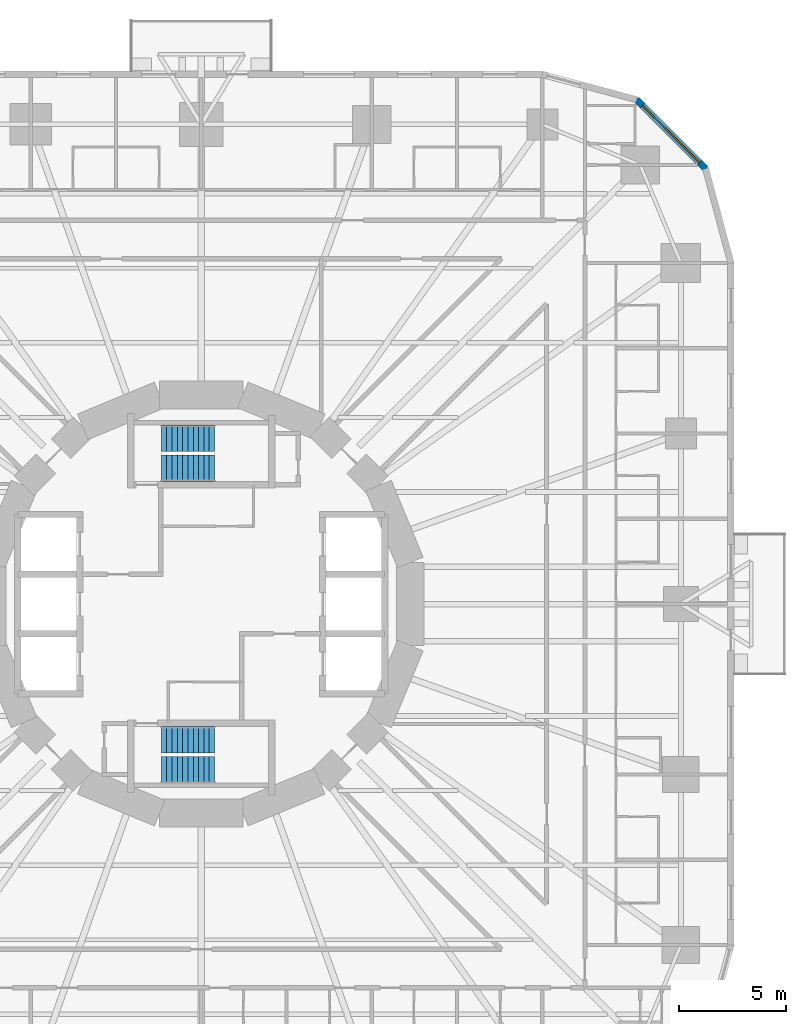
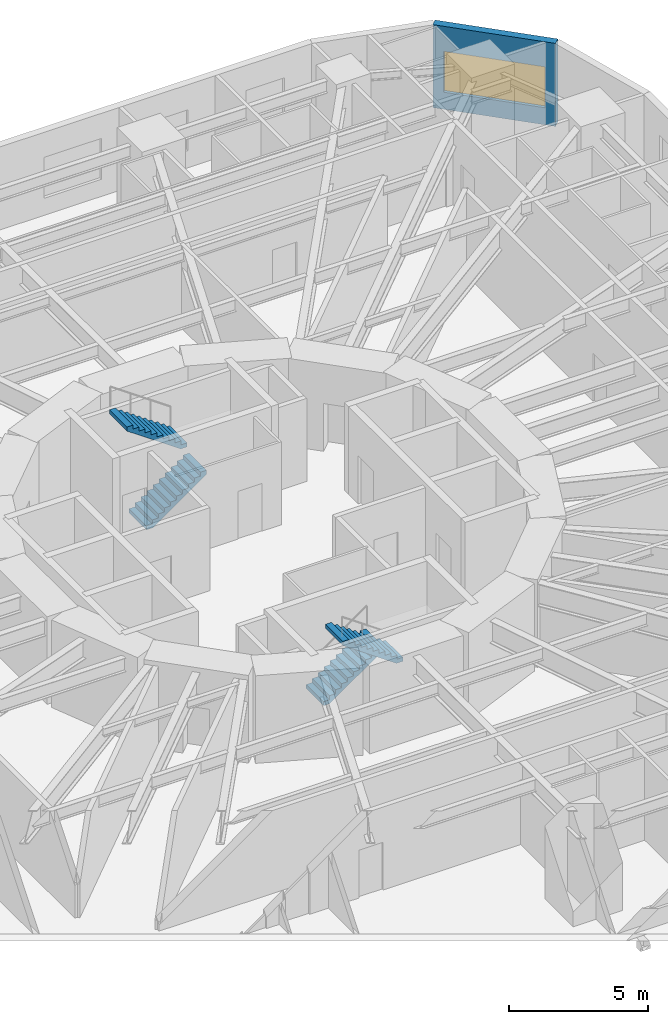
# One storey, part 12 of 14: 4 stair flights, 1 wall, 1 window, 1 opening, 2 elements without a shape of their own.
"""IFC4 building model written with IfcOpenShell, lengths in metres."""

from ifc_helpers import new_model, si_unit, direction, frame, frame_2d, origin, place, context, subcontext, project, spatial, polyline, rectangle, outline, extrude, material, layer, layer_set, type_object, element, fill, aggregate, save


model = new_model("IFC4")

# Units and contexts
model_context = context("Model", 3, precision=1e-05, world=origin(), true_north=direction((0.0, 1.0)))
body_context = subcontext(model_context, "Body", "Model", "MODEL_VIEW")
ifc_project = project(units=[si_unit("LENGTHUNIT", "METRE"), si_unit("AREAUNIT", "SQUARE_METRE"), si_unit("VOLUMEUNIT", "CUBIC_METRE"), si_unit("PLANEANGLEUNIT", "RADIAN"), si_unit("MASSUNIT", "GRAM", prefix="KILO")], contexts=[model_context])

# Site, building, storey
site_placement = place(None, origin())
site = spatial("IfcSite", under=ifc_project, at=site_placement, CompositionType="ELEMENT")
building_placement = place(site_placement, origin())
building = spatial("IfcBuilding", under=site, at=building_placement, Name="Nakasero Lantern House", CompositionType="ELEMENT")
storey_placement = place(building_placement, frame((0.0, 0.0, 31.39990234375)))
storey = spatial("IfcBuildingStorey", under=building, at=storey_placement, Name="L07", CompositionType="ELEMENT", Elevation=31.39990234375)

# Wall, opening, window
ifc_material_1 = material(Name="Aluminium rainscreen on blockwork", Category="masonry")
ifc_layer = layer(ifc_material_1, 0.300048828125)
ifc_layer_set = layer_set([ifc_layer], Name="Facade wall 300")
wall_type = type_object("IfcWallType", Name="Facade wall 300", PredefinedType="SOLIDWALL", material=ifc_layer_set)
wall_placement = place(storey_placement, frame((23.664306640625, 20.425048828125, 0.0), z_axis=(0.0, 0.0, 1.0), x_axis=(-0.707106781187, 0.707106781187, 0.0)))
wall = element("IfcWall", 1, at=wall_placement, inside=storey, type_object=wall_type, Name="Facade wall L07 FW0C2", PredefinedType="SOLIDWALL", context=body_context, shape_type="SweptSolid", body=[
    extrude(rectangle(XDim=4.5810546875, YDim=0.300048828125, at=frame_2d((2.29052734375, 0.0))), origin(), (0.0, 0.0, 1.0), 3.650146484375),
])
opening_placement = place(wall_placement, frame((0.39990234375, 0.0, 0.75)))
opening = element("IfcOpeningElement", 2, at=opening_placement, cuts=wall, Name="Opening W237", PredefinedType="OPENING", context=body_context, shape_type="SweptSolid", body=[
    extrude(rectangle(XDim=3.781005859375, YDim=1.800048828125, at=frame_2d((1.890625, 0.89990234375))), frame((0.0, 0.169921875, 0.0), z_axis=(0.0, -1.0, 0.0), x_axis=(1.0, 0.0, 0.0)), (0.0, 0.0, 1.0), 0.340087890625),
])
ifc_material_2 = material(Name="Aluminium 6063-T6 and glass", Category="aluminium")
window_type = type_object("IfcWindowType", Name="Corner window 3781x1800", PartitioningType="SINGLE_PANEL", PredefinedType="WINDOW", material=ifc_material_2)
window_placement = place(opening_placement, origin())
window = element("IfcWindow", 3, at=window_placement, inside=storey, type_object=window_type, Name="Window L07 WC0", OverallHeight=1.800048828125, OverallWidth=3.781005859375, PartitioningType="SINGLE_PANEL", PredefinedType="WINDOW", context=body_context, shape_type="SweptSolid", body=[
    extrude(rectangle(XDim=3.781005859375, YDim=1.800048828125, at=frame_2d((1.890625, 0.89990234375))), frame((0.0, 0.030029296875, 0.0), z_axis=(0.0, -1.0, 0.0), x_axis=(1.0, 0.0, 0.0)), (0.0, 0.0, 1.0), 0.06005859375),
])
fill(opening, window)

# Stair, stair flights
ifc_material_3 = material(Name="Concrete C40/50", Category="concrete")
stair_type_1 = type_object("IfcStairType", Name="Escape stair ST1 22 risers", PredefinedType="HALF_TURN_STAIR", material=ifc_material_3)
stair_1_placement = place(storey_placement, origin())
stair_1 = element("IfcStair", 4, at=stair_1_placement, inside=storey, type_object=stair_type_1, Name="Escape stair ST1 L07", PredefinedType="HALF_TURN_STAIR")
ifc_material_4 = material(Name="Concrete C40/50", Category="concrete")
stair_flight_type = type_object("IfcStairFlightType", Name="Escape stair flight", PredefinedType="STRAIGHT", material=ifc_material_4)
stair_flight_1_placement = place(storey_placement, frame((-1.875, 6.375, 0.0), z_axis=(0.0, 0.0, 1.0), x_axis=(1.0, 0.0, 0.0)))
stair_flight_1 = element("IfcStairFlight", 5, at=stair_flight_1_placement, type_object=stair_flight_type, Name="ST1 flight 1", NumberOfRisers=11, NumberOfTreads=10, PredefinedType="STRAIGHT", RiserHeight=0.175, TreadLength=0.25, context=body_context, shape_type="SweptSolid", body=[
    extrude(outline(polyline([(0.0, 0.0), (0.0, 0.175048828125), (0.25, 0.175048828125), (0.25, 0.35009765625), (0.5, 0.35009765625), (0.5, 0.52490234375), (0.75, 0.52490234375), (0.75, 0.699951171875), (1.0, 0.699951171875), (1.0, 0.875), (1.25, 0.875), (1.25, 1.050048828125), (1.5, 1.050048828125), (1.5, 1.22509765625), (1.75, 1.22509765625), (1.75, 1.39990234375), (2.0, 1.39990234375), (2.0, 1.574951171875), (2.25, 1.574951171875), (2.25, 1.75), (2.5, 1.75), (2.5, 1.925048828125), (2.5, 1.567138671875), (0.261474609375, 0.0), (0.0, 0.0)])), frame((0.0, 0.625, 0.0), z_axis=(0.0, -1.0, 0.0), x_axis=(1.0, 0.0, 0.0)), (0.0, 0.0, 1.0), 1.25),
])
stair_flight_2_placement = place(storey_placement, frame((0.625, 7.77490234375, 1.925048828125), z_axis=(0.0, 0.0, 1.0), x_axis=(-1.0, 0.0, 0.0)))
stair_flight_2 = element("IfcStairFlight", 6, at=stair_flight_2_placement, type_object=stair_flight_type, Name="ST1 flight 2", NumberOfRisers=11, NumberOfTreads=10, PredefinedType="STRAIGHT", RiserHeight=0.175, TreadLength=0.25, context=body_context, shape_type="SweptSolid", body=[
    extrude(outline(polyline([(0.0, 0.0), (0.0, 0.175048828125), (0.25, 0.175048828125), (0.25, 0.35009765625), (0.5, 0.35009765625), (0.5, 0.52490234375), (0.75, 0.52490234375), (0.75, 0.699951171875), (1.0, 0.699951171875), (1.0, 0.875), (1.25, 0.875), (1.25, 1.050048828125), (1.5, 1.050048828125), (1.5, 1.22509765625), (1.75, 1.22509765625), (1.75, 1.39990234375), (2.0, 1.39990234375), (2.0, 1.574951171875), (2.25, 1.574951171875), (2.25, 1.75), (2.5, 1.75), (2.5, 1.925048828125), (2.5, 1.567138671875), (0.261474609375, 0.0), (0.0, 0.0)])), frame((0.0, 0.625, 0.0), z_axis=(0.0, -1.0, 0.0), x_axis=(1.0, 0.0, 0.0)), (0.0, 0.0, 1.0), 1.25),
])
aggregate(stair_1, [stair_flight_1, stair_flight_2])

ifc_material_5 = material(Name="Concrete C40/50", Category="concrete")
stair_type_2 = type_object("IfcStairType", Name="Escape stair ST2 22 risers", PredefinedType="HALF_TURN_STAIR", material=ifc_material_5)
stair_2_placement = place(storey_placement, origin())
stair_2 = element("IfcStair", 7, at=stair_2_placement, inside=storey, type_object=stair_type_2, Name="Escape stair ST2 L07", PredefinedType="HALF_TURN_STAIR")
stair_flight_3_placement = place(storey_placement, frame((-1.875, -6.375, 0.0), z_axis=(0.0, 0.0, 1.0), x_axis=(1.0, 0.0, 0.0)))
stair_flight_3 = element("IfcStairFlight", 8, at=stair_flight_3_placement, type_object=stair_flight_type, Name="ST2 flight 1", NumberOfRisers=11, NumberOfTreads=10, PredefinedType="STRAIGHT", RiserHeight=0.175, TreadLength=0.25, context=body_context, shape_type="SweptSolid", body=[
    extrude(outline(polyline([(0.0, 0.0), (0.0, 0.175048828125), (0.25, 0.175048828125), (0.25, 0.35009765625), (0.5, 0.35009765625), (0.5, 0.52490234375), (0.75, 0.52490234375), (0.75, 0.699951171875), (1.0, 0.699951171875), (1.0, 0.875), (1.25, 0.875), (1.25, 1.050048828125), (1.5, 1.050048828125), (1.5, 1.22509765625), (1.75, 1.22509765625), (1.75, 1.39990234375), (2.0, 1.39990234375), (2.0, 1.574951171875), (2.25, 1.574951171875), (2.25, 1.75), (2.5, 1.75), (2.5, 1.925048828125), (2.5, 1.567138671875), (0.261474609375, 0.0), (0.0, 0.0)])), frame((0.0, 0.625, 0.0), z_axis=(0.0, -1.0, 0.0), x_axis=(1.0, 0.0, 0.0)), (0.0, 0.0, 1.0), 1.25),
])
stair_flight_4_placement = place(storey_placement, frame((0.625, -7.77490234375, 1.925048828125), z_axis=(0.0, 0.0, 1.0), x_axis=(-1.0, 0.0, 0.0)))
stair_flight_4 = element("IfcStairFlight", 9, at=stair_flight_4_placement, type_object=stair_flight_type, Name="ST2 flight 2", NumberOfRisers=11, NumberOfTreads=10, PredefinedType="STRAIGHT", RiserHeight=0.175, TreadLength=0.25, context=body_context, shape_type="SweptSolid", body=[
    extrude(outline(polyline([(0.0, 0.0), (0.0, 0.175048828125), (0.25, 0.175048828125), (0.25, 0.35009765625), (0.5, 0.35009765625), (0.5, 0.52490234375), (0.75, 0.52490234375), (0.75, 0.699951171875), (1.0, 0.699951171875), (1.0, 0.875), (1.25, 0.875), (1.25, 1.050048828125), (1.5, 1.050048828125), (1.5, 1.22509765625), (1.75, 1.22509765625), (1.75, 1.39990234375), (2.0, 1.39990234375), (2.0, 1.574951171875), (2.25, 1.574951171875), (2.25, 1.75), (2.5, 1.75), (2.5, 1.925048828125), (2.5, 1.567138671875), (0.261474609375, 0.0), (0.0, 0.0)])), frame((0.0, 0.625, 0.0), z_axis=(0.0, -1.0, 0.0), x_axis=(1.0, 0.0, 0.0)), (0.0, 0.0, 1.0), 1.25),
])
aggregate(stair_2, [stair_flight_3, stair_flight_4])

save(model, "model.ifc")
